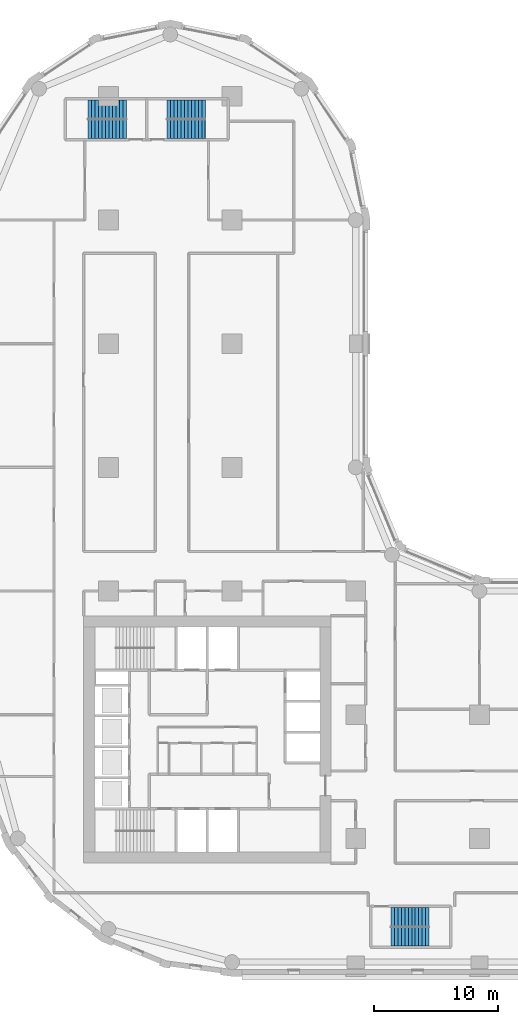
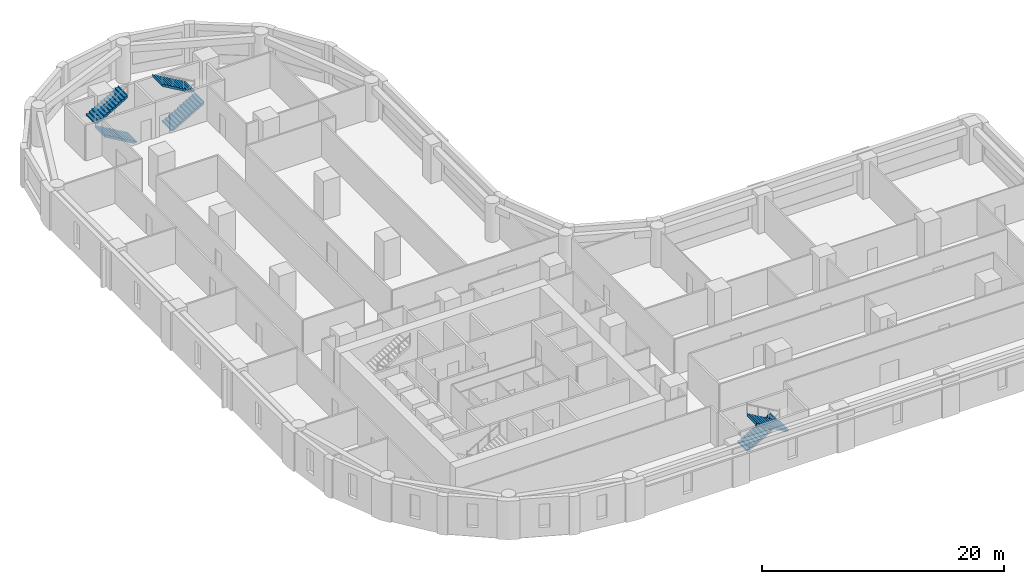
# One storey, part 8 of 10: 6 stair flights, 3 elements without a shape of their own.
"""IFC4 building model written with IfcOpenShell, lengths in metres."""

from ifc_helpers import new_model, si_unit, direction, frame, origin, place, context, subcontext, project, spatial, polyline, outline, extrude, material, type_object, element, aggregate, save


model = new_model("IFC4")

# Units and contexts
model_context = context("Model", 3, precision=1e-05, world=origin(), true_north=direction((0.0, 1.0)))
body_context = subcontext(model_context, "Body", "Model", "MODEL_VIEW")
ifc_project = project(units=[si_unit("LENGTHUNIT", "METRE"), si_unit("AREAUNIT", "SQUARE_METRE"), si_unit("VOLUMEUNIT", "CUBIC_METRE"), si_unit("PLANEANGLEUNIT", "RADIAN"), si_unit("MASSUNIT", "GRAM", prefix="KILO")], contexts=[model_context])

# Site, building, storey
site_placement = place(None, origin())
site = spatial("IfcSite", under=ifc_project, at=site_placement, CompositionType="ELEMENT")
building_placement = place(site_placement, origin())
building = spatial("IfcBuilding", under=site, at=building_placement, Name="Qaws Garden Tower", CompositionType="ELEMENT")
storey_placement = place(building_placement, frame((0.0, 0.0, 78.300048828125)))
storey = spatial("IfcBuildingStorey", under=building, at=storey_placement, Name="L19", CompositionType="ELEMENT", Elevation=78.300048828125)

# Stair, stair flights
ifc_material_1 = material(Name="Concrete C40", Category="concrete")
stair_type = type_object("IfcStairType", Name="Exit stair 1350", PredefinedType="HALF_TURN_STAIR", material=ifc_material_1)
placement = place(storey_placement, origin())
stair_1 = element("IfcStair", 1, at=placement, inside=storey, type_object=stair_type, Name="Stair 5", PredefinedType="HALF_TURN_STAIR")
ifc_material_2 = material(Name="Concrete C40", Category="concrete")
stair_flight_type = type_object("IfcStairFlightType", Name="Stair flight 1350", PredefinedType="STRAIGHT", material=ifc_material_2)
stair_flight_1_placement = place(storey_placement, frame((32.85009765625, 3.625, 0.0), z_axis=(0.0, 0.0, 1.0), x_axis=(1.0, 0.0, 0.0)))
stair_flight_1 = element("IfcStairFlight", 2, at=stair_flight_1_placement, type_object=stair_flight_type, Name="ST5 flight 1", NumberOfRisers=12, NumberOfTreads=11, PredefinedType="STRAIGHT", RiserHeight=0.1625, TreadLength=0.28, context=body_context, shape_type="SweptSolid", body=[
    extrude(outline(polyline([(-0.0029296875, 0.0), (-0.0029296875, 0.16259765625), (0.0, 0.16259765625), (0.280029296875, 0.16259765625), (0.280029296875, 0.324951171875), (0.56005859375, 0.324951171875), (0.56005859375, 0.487548828125), (0.840087890625, 0.487548828125), (0.840087890625, 0.64990234375), (1.1201171875, 0.64990234375), (1.1201171875, 0.8125), (1.39990234375, 0.8125), (1.39990234375, 0.97509765625), (1.679931640625, 0.97509765625), (1.679931640625, 1.137451171875), (1.9599609375, 1.137451171875), (1.9599609375, 1.300048828125), (2.239990234375, 1.300048828125), (2.239990234375, 1.46240234375), (2.52001953125, 1.46240234375), (2.52001953125, 1.625), (2.800048828125, 1.625), (2.800048828125, 1.78759765625), (3.080078125, 1.78759765625), (3.080078125, 1.949951171875), (3.0830078125, 1.949951171875), (3.0830078125, 1.6142578125), (3.080078125, 1.6142578125), (0.298583984375, 0.0), (-0.0029296875, 0.0)])), frame((0.0, 0.77490234375, 0.0), z_axis=(0.0, -1.0, 0.0), x_axis=(1.0, 0.0, 0.0)), (0.0, 0.0, 1.0), 1.550048828125),
])
stair_flight_2_placement = place(storey_placement, frame((35.929931640625, 2.074951171875, 1.949951171875), z_axis=(0.0, 0.0, 1.0), x_axis=(-1.0, 0.0, 0.0)))
stair_flight_2 = element("IfcStairFlight", 3, at=stair_flight_2_placement, type_object=stair_flight_type, Name="ST5 flight 2", NumberOfRisers=12, NumberOfTreads=11, PredefinedType="STRAIGHT", RiserHeight=0.1625, TreadLength=0.28, context=body_context, shape_type="SweptSolid", body=[
    extrude(outline(polyline([(-0.0029296875, 0.0), (-0.0029296875, 0.16259765625), (0.0, 0.16259765625), (0.280029296875, 0.16259765625), (0.280029296875, 0.324951171875), (0.56005859375, 0.324951171875), (0.56005859375, 0.487548828125), (0.840087890625, 0.487548828125), (0.840087890625, 0.64990234375), (1.1201171875, 0.64990234375), (1.1201171875, 0.8125), (1.39990234375, 0.8125), (1.39990234375, 0.97509765625), (1.679931640625, 0.97509765625), (1.679931640625, 1.137451171875), (1.9599609375, 1.137451171875), (1.9599609375, 1.300048828125), (2.239990234375, 1.300048828125), (2.239990234375, 1.46240234375), (2.52001953125, 1.46240234375), (2.52001953125, 1.625), (2.800048828125, 1.625), (2.800048828125, 1.78759765625), (3.080078125, 1.78759765625), (3.080078125, 1.949951171875), (3.0830078125, 1.949951171875), (3.0830078125, 1.6142578125), (3.080078125, 1.6142578125), (0.298583984375, 0.0), (-0.0029296875, 0.0)])), frame((0.0, 0.77490234375, 0.0), z_axis=(0.0, -1.0, 0.0), x_axis=(1.0, 0.0, 0.0)), (0.0, 0.0, 1.0), 1.550048828125),
])
aggregate(stair_1, [stair_flight_1, stair_flight_2])

stair_2 = element("IfcStair", 4, at=placement, inside=storey, type_object=stair_type, Name="Stair 6", PredefinedType="HALF_TURN_STAIR")
stair_flight_3_placement = place(storey_placement, frame((11.449951171875, 67.375, 0.0), z_axis=(0.0, 0.0, 1.0), x_axis=(-1.0, 0.0, 0.0)))
stair_flight_3 = element("IfcStairFlight", 5, at=stair_flight_3_placement, type_object=stair_flight_type, Name="ST6 flight 1", NumberOfRisers=12, NumberOfTreads=11, PredefinedType="STRAIGHT", RiserHeight=0.1625, TreadLength=0.28, context=body_context, shape_type="SweptSolid", body=[
    extrude(outline(polyline([(-0.0029296875, 0.0), (-0.0029296875, 0.16259765625), (0.0, 0.16259765625), (0.280029296875, 0.16259765625), (0.280029296875, 0.324951171875), (0.56005859375, 0.324951171875), (0.56005859375, 0.487548828125), (0.840087890625, 0.487548828125), (0.840087890625, 0.64990234375), (1.1201171875, 0.64990234375), (1.1201171875, 0.8125), (1.39990234375, 0.8125), (1.39990234375, 0.97509765625), (1.679931640625, 0.97509765625), (1.679931640625, 1.137451171875), (1.9599609375, 1.137451171875), (1.9599609375, 1.300048828125), (2.239990234375, 1.300048828125), (2.239990234375, 1.46240234375), (2.52001953125, 1.46240234375), (2.52001953125, 1.625), (2.800048828125, 1.625), (2.800048828125, 1.78759765625), (3.080078125, 1.78759765625), (3.080078125, 1.949951171875), (3.0830078125, 1.949951171875), (3.0830078125, 1.6142578125), (3.080078125, 1.6142578125), (0.298583984375, 0.0), (-0.0029296875, 0.0)])), frame((0.0, 0.77490234375, 0.0), z_axis=(0.0, -1.0, 0.0), x_axis=(1.0, 0.0, 0.0)), (0.0, 0.0, 1.0), 1.550048828125),
])
stair_flight_4_placement = place(storey_placement, frame((8.3701171875, 68.925048828125, 1.949951171875), z_axis=(0.0, 0.0, 1.0), x_axis=(1.0, 0.0, 0.0)))
stair_flight_4 = element("IfcStairFlight", 6, at=stair_flight_4_placement, type_object=stair_flight_type, Name="ST6 flight 2", NumberOfRisers=12, NumberOfTreads=11, PredefinedType="STRAIGHT", RiserHeight=0.1625, TreadLength=0.28, context=body_context, shape_type="SweptSolid", body=[
    extrude(outline(polyline([(-0.0029296875, 0.0), (-0.0029296875, 0.16259765625), (0.0, 0.16259765625), (0.280029296875, 0.16259765625), (0.280029296875, 0.324951171875), (0.56005859375, 0.324951171875), (0.56005859375, 0.487548828125), (0.840087890625, 0.487548828125), (0.840087890625, 0.64990234375), (1.1201171875, 0.64990234375), (1.1201171875, 0.8125), (1.39990234375, 0.8125), (1.39990234375, 0.97509765625), (1.679931640625, 0.97509765625), (1.679931640625, 1.137451171875), (1.9599609375, 1.137451171875), (1.9599609375, 1.300048828125), (2.239990234375, 1.300048828125), (2.239990234375, 1.46240234375), (2.52001953125, 1.46240234375), (2.52001953125, 1.625), (2.800048828125, 1.625), (2.800048828125, 1.78759765625), (3.080078125, 1.78759765625), (3.080078125, 1.949951171875), (3.0830078125, 1.949951171875), (3.0830078125, 1.6142578125), (3.080078125, 1.6142578125), (0.298583984375, 0.0), (-0.0029296875, 0.0)])), frame((0.0, 0.77490234375, 0.0), z_axis=(0.0, -1.0, 0.0), x_axis=(1.0, 0.0, 0.0)), (0.0, 0.0, 1.0), 1.550048828125),
])
aggregate(stair_2, [stair_flight_3, stair_flight_4])

stair_3 = element("IfcStair", 7, at=placement, inside=storey, type_object=stair_type, Name="Stair 7", PredefinedType="HALF_TURN_STAIR")
stair_flight_5_placement = place(storey_placement, frame((14.75, 67.375, 0.0), z_axis=(0.0, 0.0, 1.0), x_axis=(1.0, 0.0, 0.0)))
stair_flight_5 = element("IfcStairFlight", 8, at=stair_flight_5_placement, type_object=stair_flight_type, Name="ST7 flight 1", NumberOfRisers=12, NumberOfTreads=11, PredefinedType="STRAIGHT", RiserHeight=0.1625, TreadLength=0.28, context=body_context, shape_type="SweptSolid", body=[
    extrude(outline(polyline([(-0.0029296875, 0.0), (-0.0029296875, 0.16259765625), (0.0, 0.16259765625), (0.280029296875, 0.16259765625), (0.280029296875, 0.324951171875), (0.56005859375, 0.324951171875), (0.56005859375, 0.487548828125), (0.840087890625, 0.487548828125), (0.840087890625, 0.64990234375), (1.1201171875, 0.64990234375), (1.1201171875, 0.8125), (1.39990234375, 0.8125), (1.39990234375, 0.97509765625), (1.679931640625, 0.97509765625), (1.679931640625, 1.137451171875), (1.9599609375, 1.137451171875), (1.9599609375, 1.300048828125), (2.239990234375, 1.300048828125), (2.239990234375, 1.46240234375), (2.52001953125, 1.46240234375), (2.52001953125, 1.625), (2.800048828125, 1.625), (2.800048828125, 1.78759765625), (3.080078125, 1.78759765625), (3.080078125, 1.949951171875), (3.0830078125, 1.949951171875), (3.0830078125, 1.6142578125), (3.080078125, 1.6142578125), (0.298583984375, 0.0), (-0.0029296875, 0.0)])), frame((0.0, 0.77490234375, 0.0), z_axis=(0.0, -1.0, 0.0), x_axis=(1.0, 0.0, 0.0)), (0.0, 0.0, 1.0), 1.550048828125),
])
stair_flight_6_placement = place(storey_placement, frame((17.830078125, 68.925048828125, 1.949951171875), z_axis=(0.0, 0.0, 1.0), x_axis=(-1.0, 0.0, 0.0)))
stair_flight_6 = element("IfcStairFlight", 9, at=stair_flight_6_placement, type_object=stair_flight_type, Name="ST7 flight 2", NumberOfRisers=12, NumberOfTreads=11, PredefinedType="STRAIGHT", RiserHeight=0.1625, TreadLength=0.28, context=body_context, shape_type="SweptSolid", body=[
    extrude(outline(polyline([(-0.0029296875, 0.0), (-0.0029296875, 0.16259765625), (0.0, 0.16259765625), (0.280029296875, 0.16259765625), (0.280029296875, 0.324951171875), (0.56005859375, 0.324951171875), (0.56005859375, 0.487548828125), (0.840087890625, 0.487548828125), (0.840087890625, 0.64990234375), (1.1201171875, 0.64990234375), (1.1201171875, 0.8125), (1.39990234375, 0.8125), (1.39990234375, 0.97509765625), (1.679931640625, 0.97509765625), (1.679931640625, 1.137451171875), (1.9599609375, 1.137451171875), (1.9599609375, 1.300048828125), (2.239990234375, 1.300048828125), (2.239990234375, 1.46240234375), (2.52001953125, 1.46240234375), (2.52001953125, 1.625), (2.800048828125, 1.625), (2.800048828125, 1.78759765625), (3.080078125, 1.78759765625), (3.080078125, 1.949951171875), (3.0830078125, 1.949951171875), (3.0830078125, 1.6142578125), (3.080078125, 1.6142578125), (0.298583984375, 0.0), (-0.0029296875, 0.0)])), frame((0.0, 0.77490234375, 0.0), z_axis=(0.0, -1.0, 0.0), x_axis=(1.0, 0.0, 0.0)), (0.0, 0.0, 1.0), 1.550048828125),
])
aggregate(stair_3, [stair_flight_5, stair_flight_6])

save(model, "model.ifc")
